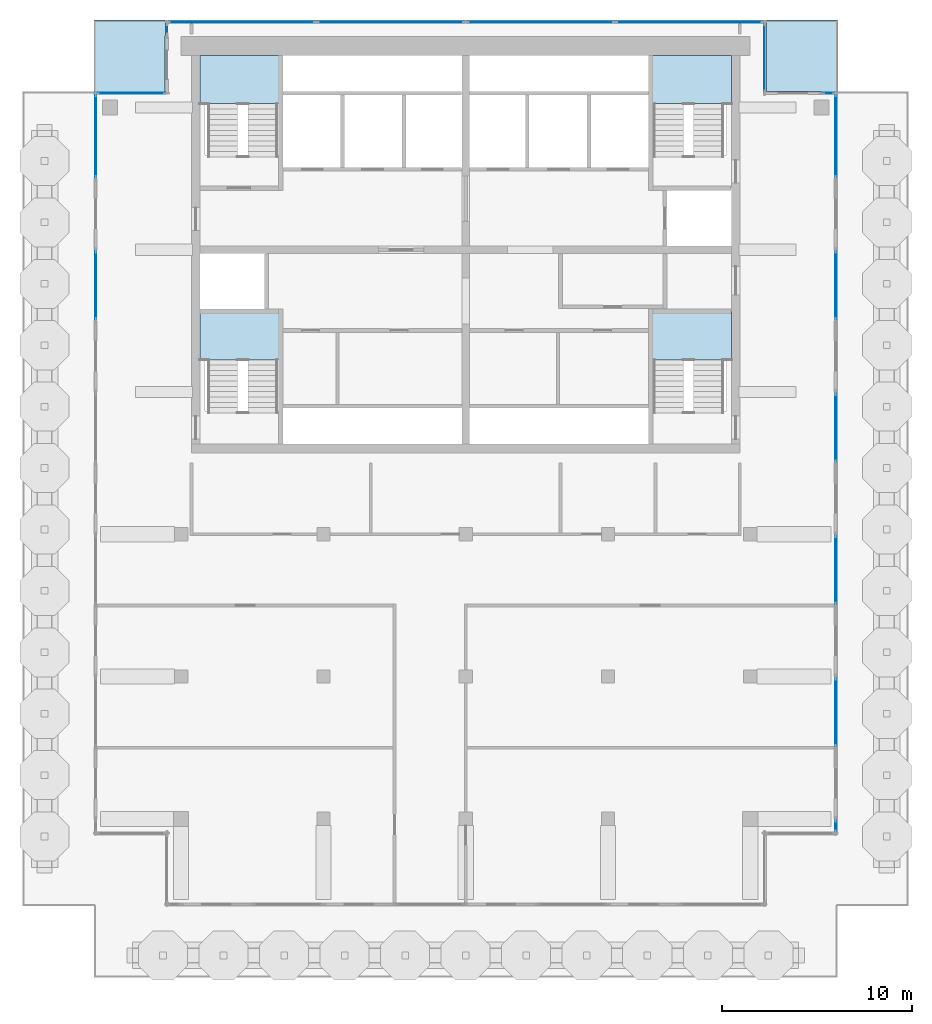
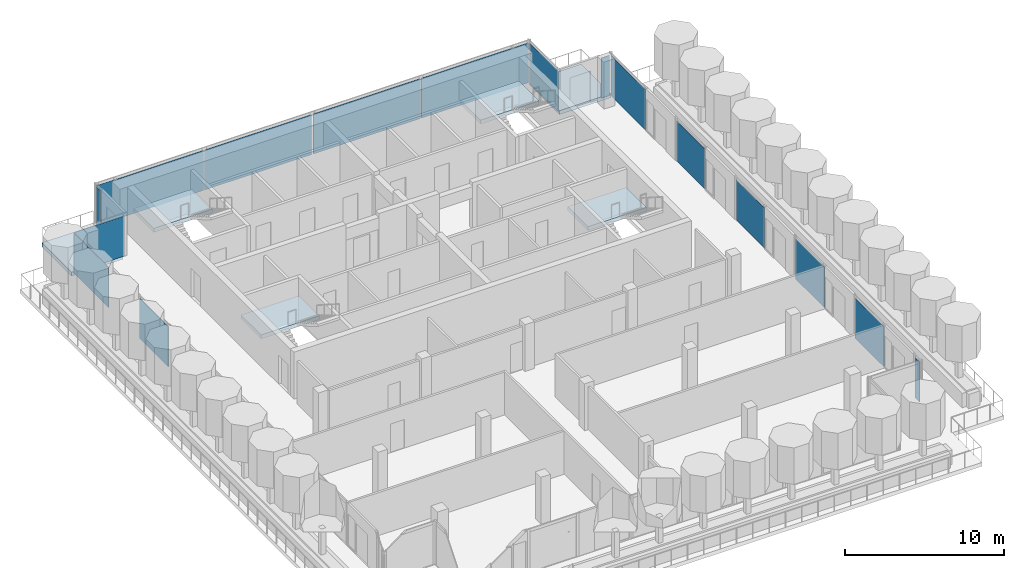
# One storey, part 7 of 15: 16 plates, 6 slabs, 18 elements without a shape of their own.
"""IFC4 building model written with IfcOpenShell, lengths in metres."""

from ifc_helpers import new_model, si_unit, direction, frame, origin, origin_2d, place, context, subcontext, project, spatial, polyline, rectangle, outline, extrude, material, layer, layer_set, type_object, element, aggregate, save


model = new_model("IFC4")

# Units and contexts
model_context = context("Model", 3, precision=1e-05, world=origin(), true_north=direction((0.0, 1.0)))
body_context = subcontext(model_context, "Body", "Model", "MODEL_VIEW")
ifc_project = project(units=[si_unit("LENGTHUNIT", "METRE"), si_unit("AREAUNIT", "SQUARE_METRE"), si_unit("VOLUMEUNIT", "CUBIC_METRE"), si_unit("PLANEANGLEUNIT", "RADIAN"), si_unit("MASSUNIT", "GRAM", prefix="KILO")], contexts=[model_context])

# Site, building, storey
site_placement = place(None, origin())
site = spatial("IfcSite", under=ifc_project, at=site_placement, CompositionType="ELEMENT")
building_placement = place(site_placement, origin())
building = spatial("IfcBuilding", under=site, at=building_placement, Name="Pilkhan Gate Tower", CompositionType="ELEMENT")
storey_placement = place(building_placement, frame((0.0, 0.0, 265.699951171875)))
storey = spatial("IfcBuildingStorey", under=building, at=storey_placement, Name="L69", CompositionType="ELEMENT", Elevation=265.699951171875)

# Curtain wall, plate
ifc_material_1 = material(Name="Pale anodised aluminium, clear low-iron double glazing", Category="aluminium")
curtain_wall_type = type_object("IfcCurtainWallType", Name="Crown unitised curtain wall CW-C", PredefinedType="USERDEFINED", material=ifc_material_1)
curtain_wall_1_placement = place(storey_placement, origin())
curtain_wall_1 = element("IfcCurtainWall", 1, at=curtain_wall_1_placement, inside=storey, type_object=curtain_wall_type, Name="Crown unitised curtain wall CW-C L69 E", ObjectType="UNITISED CURTAIN WALL", PredefinedType="USERDEFINED")
ifc_material_2 = material(Name="Clear low-iron double glazing", Category="glass")
ifc_layer_1 = layer(ifc_material_2, 0.0439453125)
ifc_layer_set_1 = layer_set([ifc_layer_1], Name="Glass panel CW-C 44")
plate_type = type_object("IfcPlateType", Name="Glass panel CW-C 44", PredefinedType="CURTAIN_PANEL", material=ifc_layer_set_1)
plate_1_placement = place(storey_placement, frame((94.5, 52.125, 0.0), z_axis=(0.0, 0.0, 1.0), x_axis=(0.0, 1.0, 0.0)))
plate_1 = element("IfcPlate", 2, at=plate_1_placement, type_object=plate_type, Name="CW-C panel 1", PredefinedType="CURTAIN_PANEL", context=body_context, shape_type="SweptSolid", body=[
    extrude(rectangle(XDim=0.60009765625, YDim=0.0439453125, at=origin_2d()), origin(), (0.0, 0.0, 1.0), 3.080078125),
])
aggregate(curtain_wall_1, [plate_1])

curtain_wall_2_placement = place(storey_placement, origin())
curtain_wall_2 = element("IfcCurtainWall", 3, at=curtain_wall_2_placement, inside=storey, type_object=curtain_wall_type, Name="Crown unitised curtain wall CW-C L69 E", ObjectType="UNITISED CURTAIN WALL", PredefinedType="USERDEFINED")
plate_2_placement = place(storey_placement, frame((94.5, 58.125, 0.0), z_axis=(0.0, 0.0, 1.0), x_axis=(0.0, 1.0, 0.0)))
plate_2 = element("IfcPlate", 4, at=plate_2_placement, type_object=plate_type, Name="CW-C panel 1", PredefinedType="CURTAIN_PANEL", context=body_context, shape_type="SweptSolid", body=[
    extrude(rectangle(XDim=3.60009765625, YDim=0.0439453125, at=origin_2d()), origin(), (0.0, 0.0, 1.0), 3.080078125),
])
aggregate(curtain_wall_2, [plate_2])

curtain_wall_3_placement = place(storey_placement, origin())
curtain_wall_3 = element("IfcCurtainWall", 5, at=curtain_wall_3_placement, inside=storey, type_object=curtain_wall_type, Name="Crown unitised curtain wall CW-C L69 E", ObjectType="UNITISED CURTAIN WALL", PredefinedType="USERDEFINED")
plate_3_placement = place(storey_placement, frame((94.5, 65.625, 0.0), z_axis=(0.0, 0.0, 1.0), x_axis=(0.0, 1.0, 0.0)))
plate_3 = element("IfcPlate", 6, at=plate_3_placement, type_object=plate_type, Name="CW-C panel 1", PredefinedType="CURTAIN_PANEL", context=body_context, shape_type="SweptSolid", body=[
    extrude(rectangle(XDim=3.60009765625, YDim=0.0439453125, at=origin_2d()), origin(), (0.0, 0.0, 1.0), 3.080078125),
])
aggregate(curtain_wall_3, [plate_3])

curtain_wall_4_placement = place(storey_placement, origin())
curtain_wall_4 = element("IfcCurtainWall", 7, at=curtain_wall_4_placement, inside=storey, type_object=curtain_wall_type, Name="Crown unitised curtain wall CW-C L69 E", ObjectType="UNITISED CURTAIN WALL", PredefinedType="USERDEFINED")
plate_4_placement = place(storey_placement, frame((94.5, 73.125, 0.0), z_axis=(0.0, 0.0, 1.0), x_axis=(0.0, 1.0, 0.0)))
plate_4 = element("IfcPlate", 8, at=plate_4_placement, type_object=plate_type, Name="CW-C panel 1", PredefinedType="CURTAIN_PANEL", context=body_context, shape_type="SweptSolid", body=[
    extrude(rectangle(XDim=3.60009765625, YDim=0.0439453125, at=origin_2d()), origin(), (0.0, 0.0, 1.0), 3.080078125),
])
aggregate(curtain_wall_4, [plate_4])

curtain_wall_5_placement = place(storey_placement, origin())
curtain_wall_5 = element("IfcCurtainWall", 9, at=curtain_wall_5_placement, inside=storey, type_object=curtain_wall_type, Name="Crown unitised curtain wall CW-C L69 E", ObjectType="UNITISED CURTAIN WALL", PredefinedType="USERDEFINED")
plate_5_placement = place(storey_placement, frame((94.5, 80.625, 0.0), z_axis=(0.0, 0.0, 1.0), x_axis=(0.0, 1.0, 0.0)))
plate_5 = element("IfcPlate", 10, at=plate_5_placement, type_object=plate_type, Name="CW-C panel 1", PredefinedType="CURTAIN_PANEL", context=body_context, shape_type="SweptSolid", body=[
    extrude(rectangle(XDim=3.60009765625, YDim=0.0439453125, at=origin_2d()), origin(), (0.0, 0.0, 1.0), 3.080078125),
])
aggregate(curtain_wall_5, [plate_5])

curtain_wall_6_placement = place(storey_placement, origin())
curtain_wall_6 = element("IfcCurtainWall", 11, at=curtain_wall_6_placement, inside=storey, type_object=curtain_wall_type, Name="Crown unitised curtain wall CW-C L69 E", ObjectType="UNITISED CURTAIN WALL", PredefinedType="USERDEFINED")
plate_6_placement = place(storey_placement, frame((94.5, 88.5, 0.0), z_axis=(0.0, 0.0, 1.0), x_axis=(0.0, 1.0, 0.0)))
plate_6 = element("IfcPlate", 12, at=plate_6_placement, type_object=plate_type, Name="CW-C panel 1", PredefinedType="CURTAIN_PANEL", context=body_context, shape_type="SweptSolid", body=[
    extrude(rectangle(XDim=4.35009765625, YDim=0.0439453125, at=origin_2d()), origin(), (0.0, 0.0, 1.0), 3.080078125),
])
aggregate(curtain_wall_6, [plate_6])

curtain_wall_7_placement = place(storey_placement, origin())
curtain_wall_7 = element("IfcCurtainWall", 13, at=curtain_wall_7_placement, inside=storey, type_object=curtain_wall_type, Name="Crown unitised curtain wall CW-C L69 N", ObjectType="UNITISED CURTAIN WALL", PredefinedType="USERDEFINED")
plate_7_placement = place(storey_placement, frame((94.125, 90.75, 0.0), z_axis=(0.0, 0.0, 1.0), x_axis=(1.0, 0.0, 0.0)))
plate_7 = element("IfcPlate", 14, at=plate_7_placement, type_object=plate_type, Name="CW-C panel 1", PredefinedType="CURTAIN_PANEL", context=body_context, shape_type="SweptSolid", body=[
    extrude(rectangle(XDim=0.60009765625, YDim=0.0439453125, at=origin_2d()), origin(), (0.0, 0.0, 1.0), 3.080078125),
])
aggregate(curtain_wall_7, [plate_7])

curtain_wall_8_placement = place(storey_placement, origin())
curtain_wall_8 = element("IfcCurtainWall", 15, at=curtain_wall_8_placement, inside=storey, type_object=curtain_wall_type, Name="Crown unitised curtain wall CW-C L69 E", ObjectType="UNITISED CURTAIN WALL", PredefinedType="USERDEFINED")
plate_8_placement = place(storey_placement, frame((90.75, 92.625, 0.0), z_axis=(0.0, 0.0, 1.0), x_axis=(0.0, 1.0, 0.0)))
plate_8 = element("IfcPlate", 16, at=plate_8_placement, type_object=plate_type, Name="CW-C panel 1", PredefinedType="CURTAIN_PANEL", context=body_context, shape_type="SweptSolid", body=[
    extrude(rectangle(XDim=3.60009765625, YDim=0.0439453125, at=origin_2d()), origin(), (0.0, 0.0, 1.0), 3.080078125),
])
aggregate(curtain_wall_8, [plate_8])

# Curtain wall, plates
curtain_wall_9_placement = place(storey_placement, origin())
curtain_wall_9 = element("IfcCurtainWall", 17, at=curtain_wall_9_placement, inside=storey, type_object=curtain_wall_type, Name="Crown unitised curtain wall CW-C L69 N", ObjectType="UNITISED CURTAIN WALL", PredefinedType="USERDEFINED")
plate_9_placement = place(storey_placement, frame((63.206298828125, 94.5, 0.0), z_axis=(0.0, 0.0, 1.0), x_axis=(1.0, 0.0, 0.0)))
plate_9 = element("IfcPlate", 18, at=plate_9_placement, type_object=plate_type, Name="CW-C panel 1", PredefinedType="CURTAIN_PANEL", context=body_context, shape_type="SweptSolid", body=[
    extrude(rectangle(XDim=7.762451171875, YDim=0.0439453125, at=origin_2d()), origin(), (0.0, 0.0, 1.0), 3.080078125),
])
plate_10_placement = place(storey_placement, frame((71.043701171875, 94.5, 0.0), z_axis=(0.0, 0.0, 1.0), x_axis=(1.0, 0.0, 0.0)))
plate_10 = element("IfcPlate", 19, at=plate_10_placement, type_object=plate_type, Name="CW-C panel 2", PredefinedType="CURTAIN_PANEL", context=body_context, shape_type="SweptSolid", body=[
    extrude(rectangle(XDim=7.762451171875, YDim=0.0439453125, at=origin_2d()), origin(), (0.0, 0.0, 1.0), 3.080078125),
])
aggregate(curtain_wall_9, [plate_9, plate_10])

curtain_wall_10_placement = place(storey_placement, origin())
curtain_wall_10 = element("IfcCurtainWall", 20, at=curtain_wall_10_placement, inside=storey, type_object=curtain_wall_type, Name="Crown unitised curtain wall CW-C L69 N", ObjectType="UNITISED CURTAIN WALL", PredefinedType="USERDEFINED")
plate_11_placement = place(storey_placement, frame((78.956298828125, 94.5, 0.0), z_axis=(0.0, 0.0, 1.0), x_axis=(1.0, 0.0, 0.0)))
plate_11 = element("IfcPlate", 21, at=plate_11_placement, type_object=plate_type, Name="CW-C panel 1", PredefinedType="CURTAIN_PANEL", context=body_context, shape_type="SweptSolid", body=[
    extrude(rectangle(XDim=7.762451171875, YDim=0.0439453125, at=origin_2d()), origin(), (0.0, 0.0, 1.0), 3.080078125),
])
plate_12_placement = place(storey_placement, frame((86.793701171875, 94.5, 0.0), z_axis=(0.0, 0.0, 1.0), x_axis=(1.0, 0.0, 0.0)))
plate_12 = element("IfcPlate", 22, at=plate_12_placement, type_object=plate_type, Name="CW-C panel 2", PredefinedType="CURTAIN_PANEL", context=body_context, shape_type="SweptSolid", body=[
    extrude(rectangle(XDim=7.762451171875, YDim=0.0439453125, at=origin_2d()), origin(), (0.0, 0.0, 1.0), 3.080078125),
])
aggregate(curtain_wall_10, [plate_11, plate_12])

# Curtain wall, plate
curtain_wall_11_placement = place(storey_placement, origin())
curtain_wall_11 = element("IfcCurtainWall", 23, at=curtain_wall_11_placement, inside=storey, type_object=curtain_wall_type, Name="Crown unitised curtain wall CW-C L69 W", ObjectType="UNITISED CURTAIN WALL", PredefinedType="USERDEFINED")
plate_13_placement = place(storey_placement, frame((59.25, 94.125, 0.0), z_axis=(0.0, 0.0, 1.0), x_axis=(0.0, 1.0, 0.0)))
plate_13 = element("IfcPlate", 24, at=plate_13_placement, type_object=plate_type, Name="CW-C panel 1", PredefinedType="CURTAIN_PANEL", context=body_context, shape_type="SweptSolid", body=[
    extrude(rectangle(XDim=0.60009765625, YDim=0.0439453125, at=origin_2d()), origin(), (0.0, 0.0, 1.0), 3.080078125),
])
aggregate(curtain_wall_11, [plate_13])

curtain_wall_12_placement = place(storey_placement, origin())
curtain_wall_12 = element("IfcCurtainWall", 25, at=curtain_wall_12_placement, inside=storey, type_object=curtain_wall_type, Name="Crown unitised curtain wall CW-C L69 N", ObjectType="UNITISED CURTAIN WALL", PredefinedType="USERDEFINED")
plate_14_placement = place(storey_placement, frame((57.375, 90.75, 0.0), z_axis=(0.0, 0.0, 1.0), x_axis=(1.0, 0.0, 0.0)))
plate_14 = element("IfcPlate", 26, at=plate_14_placement, type_object=plate_type, Name="CW-C panel 1", PredefinedType="CURTAIN_PANEL", context=body_context, shape_type="SweptSolid", body=[
    extrude(rectangle(XDim=3.60009765625, YDim=0.0439453125, at=origin_2d()), origin(), (0.0, 0.0, 1.0), 3.080078125),
])
aggregate(curtain_wall_12, [plate_14])

curtain_wall_13_placement = place(storey_placement, origin())
curtain_wall_13 = element("IfcCurtainWall", 27, at=curtain_wall_13_placement, inside=storey, type_object=curtain_wall_type, Name="Crown unitised curtain wall CW-C L69 W", ObjectType="UNITISED CURTAIN WALL", PredefinedType="USERDEFINED")
plate_15_placement = place(storey_placement, frame((55.5, 80.625, 0.0), z_axis=(0.0, 0.0, 1.0), x_axis=(0.0, 1.0, 0.0)))
plate_15 = element("IfcPlate", 28, at=plate_15_placement, type_object=plate_type, Name="CW-C panel 1", PredefinedType="CURTAIN_PANEL", context=body_context, shape_type="SweptSolid", body=[
    extrude(rectangle(XDim=3.60009765625, YDim=0.0439453125, at=origin_2d()), origin(), (0.0, 0.0, 1.0), 3.080078125),
])
aggregate(curtain_wall_13, [plate_15])

curtain_wall_14_placement = place(storey_placement, origin())
curtain_wall_14 = element("IfcCurtainWall", 29, at=curtain_wall_14_placement, inside=storey, type_object=curtain_wall_type, Name="Crown unitised curtain wall CW-C L69 W", ObjectType="UNITISED CURTAIN WALL", PredefinedType="USERDEFINED")
plate_16_placement = place(storey_placement, frame((55.5, 88.5, 0.0), z_axis=(0.0, 0.0, 1.0), x_axis=(0.0, 1.0, 0.0)))
plate_16 = element("IfcPlate", 30, at=plate_16_placement, type_object=plate_type, Name="CW-C panel 1", PredefinedType="CURTAIN_PANEL", context=body_context, shape_type="SweptSolid", body=[
    extrude(rectangle(XDim=4.35009765625, YDim=0.0439453125, at=origin_2d()), origin(), (0.0, 0.0, 1.0), 3.080078125),
])
aggregate(curtain_wall_14, [plate_16])

# Stair, slab
ifc_material_3 = material(Name="Concrete C40/50 precast", Category="concrete")
stair_type_1 = type_object("IfcStairType", Name="Stair ST1 164x280", PredefinedType="HALF_TURN_STAIR", material=ifc_material_3)
stair_1_placement = place(storey_placement, origin())
stair_1 = element("IfcStair", 31, at=stair_1_placement, inside=storey, type_object=stair_type_1, Name="Stair ST1 L69", PredefinedType="HALF_TURN_STAIR")
ifc_material_4 = material(Name="Concrete C40/50", Category="concrete")
ifc_layer_2 = layer(ifc_material_4, 0.199951171875)
ifc_layer_set_2 = layer_set([ifc_layer_2], Name="Stair landing SL200")
slab_type_1 = type_object("IfcSlabType", Name="Stair landing SL200", PredefinedType="LANDING", material=ifc_layer_set_2)
slab_1_placement = place(storey_placement, frame((0.0, 0.0, 1.5)))
slab_1 = element("IfcSlab", 32, at=slab_1_placement, type_object=slab_type_1, Name="ST1 landing 1", PredefinedType="LANDING", context=body_context, shape_type="SweptSolid", body=[
    extrude(outline(polyline([(89.0, 76.699951171875), (89.0, 79.25), (84.75, 79.25), (84.75, 76.699951171875), (89.0, 76.699951171875)])), origin(), (0.0, 0.0, 1.0), 0.300048828125),
])
aggregate(stair_1, [slab_1])

stair_type_2 = type_object("IfcStairType", Name="Stair ST2 164x280", PredefinedType="HALF_TURN_STAIR", material=ifc_material_3)
stair_2_placement = place(storey_placement, origin())
stair_2 = element("IfcStair", 33, at=stair_2_placement, inside=storey, type_object=stair_type_2, Name="Stair ST2 L69", PredefinedType="HALF_TURN_STAIR")
slab_2_placement = place(storey_placement, frame((0.0, 0.0, 1.5)))
slab_2 = element("IfcSlab", 34, at=slab_2_placement, type_object=slab_type_1, Name="ST2 landing 1", PredefinedType="LANDING", context=body_context, shape_type="SweptSolid", body=[
    extrude(outline(polyline([(65.25, 76.699951171875), (65.25, 79.25), (61.0, 79.25), (61.0, 76.699951171875), (65.25, 76.699951171875)])), origin(), (0.0, 0.0, 1.0), 0.300048828125),
])
aggregate(stair_2, [slab_2])

stair_type_3 = type_object("IfcStairType", Name="Stair ST3 164x280", PredefinedType="HALF_TURN_STAIR", material=ifc_material_3)
stair_3_placement = place(storey_placement, origin())
stair_3 = element("IfcStair", 35, at=stair_3_placement, inside=storey, type_object=stair_type_3, Name="Stair ST3 L69", PredefinedType="HALF_TURN_STAIR")
slab_3_placement = place(storey_placement, frame((0.0, 0.0, 1.5)))
slab_3 = element("IfcSlab", 36, at=slab_3_placement, type_object=slab_type_1, Name="ST3 landing 1", PredefinedType="LANDING", context=body_context, shape_type="SweptSolid", body=[
    extrude(outline(polyline([(65.25, 90.199951171875), (65.25, 92.75), (61.0, 92.75), (61.0, 90.199951171875), (65.25, 90.199951171875)])), origin(), (0.0, 0.0, 1.0), 0.300048828125),
])
aggregate(stair_3, [slab_3])

stair_type_4 = type_object("IfcStairType", Name="Stair ST4 164x280", PredefinedType="HALF_TURN_STAIR", material=ifc_material_3)
stair_4_placement = place(storey_placement, origin())
stair_4 = element("IfcStair", 37, at=stair_4_placement, inside=storey, type_object=stair_type_4, Name="Stair ST4 L69", PredefinedType="HALF_TURN_STAIR")
slab_4_placement = place(storey_placement, frame((0.0, 0.0, 1.5)))
slab_4 = element("IfcSlab", 38, at=slab_4_placement, type_object=slab_type_1, Name="ST4 landing 1", PredefinedType="LANDING", context=body_context, shape_type="SweptSolid", body=[
    extrude(outline(polyline([(89.0, 90.199951171875), (89.0, 92.75), (84.75, 92.75), (84.75, 90.199951171875), (89.0, 90.199951171875)])), origin(), (0.0, 0.0, 1.0), 0.300048828125),
])
aggregate(stair_4, [slab_4])

# Slabs
ifc_material_5 = material(Name="Concrete C60/75", Category="concrete")
ifc_layer_3 = layer(ifc_material_5, 0.300048828125)
ifc_layer_set_3 = layer_set([ifc_layer_3], Name="Terrace slab TS300")
slab_type_2 = type_object("IfcSlabType", Name="Terrace slab TS300", PredefinedType="FLOOR", material=ifc_layer_set_3)
slab_5_placement = place(storey_placement, frame((0.0, 0.0, -0.300048828125)))
element("IfcSlab", 39, at=slab_5_placement, inside=storey, type_object=slab_type_2, Name="Terrace L69", PredefinedType="FLOOR", context=body_context, shape_type="SweptSolid", body=[
    extrude(outline(polyline([(59.14990234375, 94.60009765625), (59.14990234375, 90.85009765625), (55.39990234375, 90.85009765625), (55.39990234375, 94.60009765625), (59.14990234375, 94.60009765625)])), origin(), (0.0, 0.0, 1.0), 0.300048828125),
])
slab_6_placement = place(storey_placement, frame((0.0, 0.0, -0.300048828125)))
element("IfcSlab", 40, at=slab_6_placement, inside=storey, type_object=slab_type_2, Name="Terrace L69", PredefinedType="FLOOR", context=body_context, shape_type="SweptSolid", body=[
    extrude(outline(polyline([(94.60009765625, 90.85009765625), (90.85009765625, 90.85009765625), (90.85009765625, 94.60009765625), (94.60009765625, 94.60009765625), (94.60009765625, 90.85009765625)])), origin(), (0.0, 0.0, 1.0), 0.300048828125),
])

save(model, "model.ifc")
